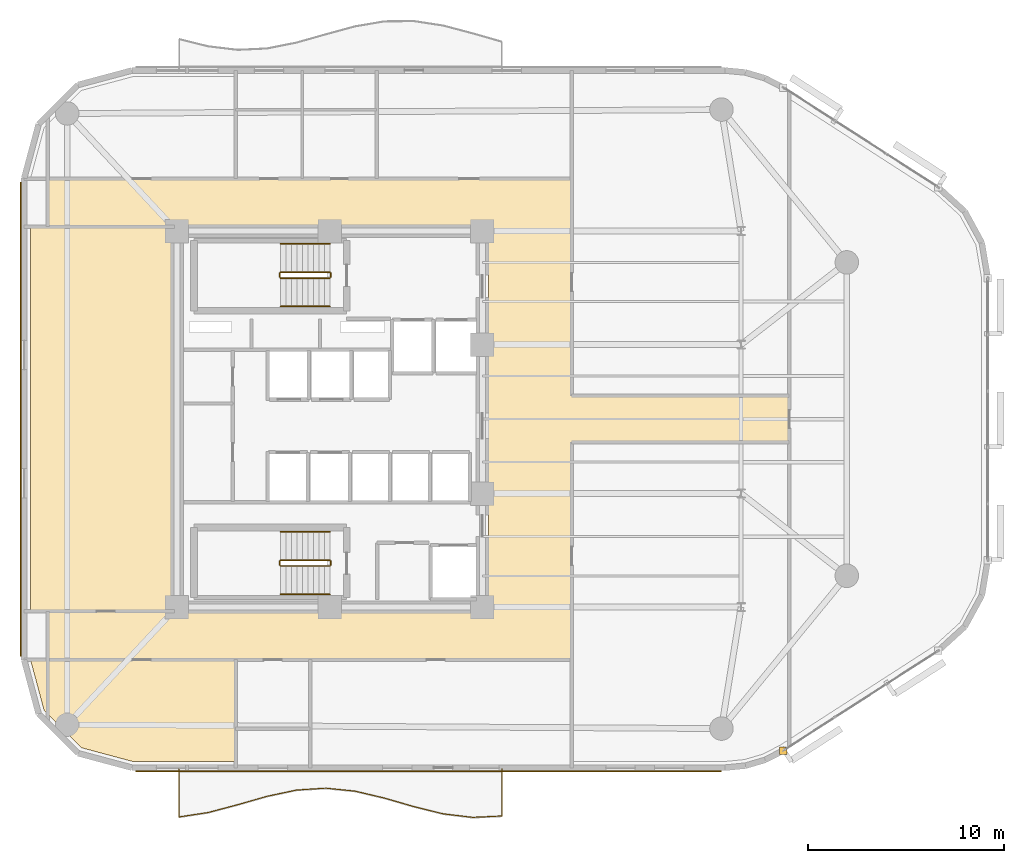
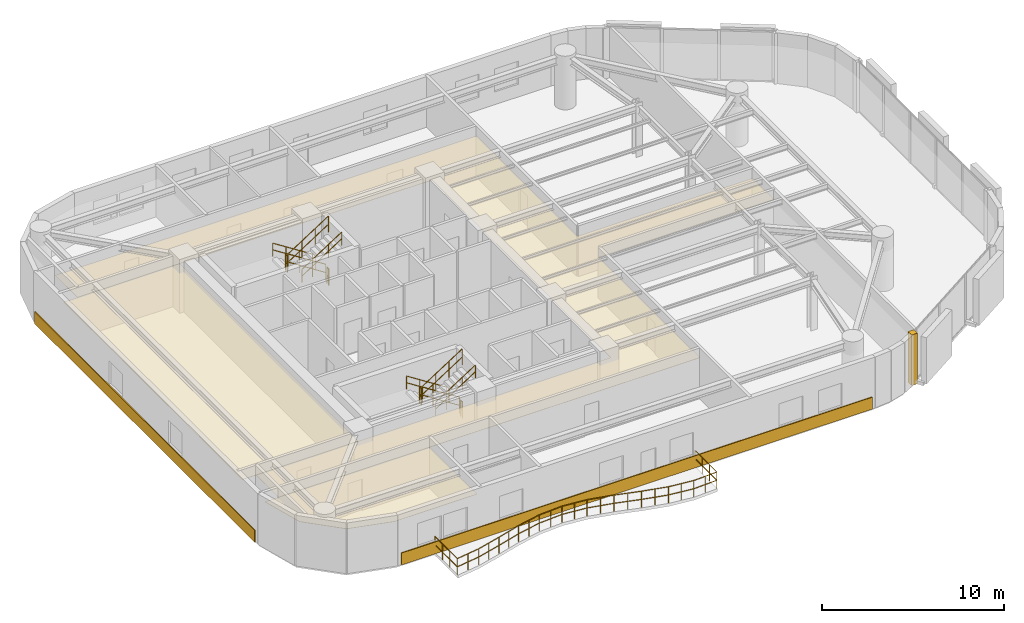
# One storey, part 13 of 14: 13 railings, 6 coverings.
"""IFC4 building model written with IfcOpenShell, lengths in metres."""

from ifc_helpers import new_model, si_unit, direction, frame, origin, origin_2d, place, context, subcontext, project, spatial, polyline, rectangle, circle, outline, extrude, material, layer, layer_set, type_object, element, save


model = new_model("IFC4")

# Units and contexts
model_context = context("Model", 3, precision=1e-05, world=origin(), true_north=direction((0.0, 1.0)))
body_context = subcontext(model_context, "Body", "Model", "MODEL_VIEW")
ifc_project = project(units=[si_unit("LENGTHUNIT", "METRE"), si_unit("AREAUNIT", "SQUARE_METRE"), si_unit("VOLUMEUNIT", "CUBIC_METRE"), si_unit("PLANEANGLEUNIT", "RADIAN"), si_unit("MASSUNIT", "GRAM", prefix="KILO")], contexts=[model_context])

# Site, building, storey
site_placement = place(None, origin())
site = spatial("IfcSite", under=ifc_project, at=site_placement, CompositionType="ELEMENT")
building_placement = place(site_placement, origin())
building = spatial("IfcBuilding", under=site, at=building_placement, Name="An Khanh Terracotta Commons", CompositionType="ELEMENT")
storey_placement = place(building_placement, frame((0.0, 0.0, 158.199951171875)))
storey = spatial("IfcBuildingStorey", under=building, at=storey_placement, Name="L41", CompositionType="ELEMENT", Elevation=158.199951171875)

# Coverings
ifc_material_1 = material(Name="Perforated Mineral-Fibre Acoustic Tile")
ifc_layer_1 = layer(ifc_material_1, 0.02001953125, Name="Perforated Mineral-Fibre Acoustic Tile")
ifc_layer_set_1 = layer_set([ifc_layer_1], Name="Perforated Mineral-Fibre Acoustic Tile")
covering_type_1 = type_object("IfcCoveringType", Name="CEIL-ACOUSTIC-18", PredefinedType="CEILING", material=ifc_layer_set_1)
covering_1_placement = place(storey_placement, frame((0.0, 0.0, 2.650146484375)))
element("IfcCovering", 1, at=covering_1_placement, inside=storey, type_object=covering_type_1, Name="L41 Corridor Ceiling", PredefinedType="CEILING", context=body_context, shape_type="SweptSolid", body=[
    extrude(outline(polyline([(15.0, 11.719970703125), (15.0, 14.179931640625), (37.5, 14.179931640625), (37.5, 33.820068359375), (15.0, 33.820068359375), (15.0, 36.280029296875), (37.5, 36.280029296875), (41.75, 36.280029296875), (41.75, 33.820068359375), (41.75, 25.179931640625), (52.85009765625, 25.179931640625), (52.85009765625, 22.820068359375), (41.75, 22.820068359375), (41.75, 14.179931640625), (41.75, 11.719970703125), (37.5, 11.719970703125), (15.0, 11.719970703125)])), origin(), (0.0, 0.0, 1.0), 0.02001953125),
])
covering_2_placement = place(storey_placement, frame((0.0, 0.0, 2.650146484375)))
element("IfcCovering", 2, at=covering_2_placement, inside=storey, type_object=covering_type_1, Name="L41 Academic Seminar Room Ceiling", PredefinedType="CEILING", context=body_context, shape_type="SweptSolid", body=[
    extrude(outline(polyline([(19.342041015625, 6.52001953125), (16.716064453125, 7.22412109375), (14.823974609375, 9.115966796875), (14.1259765625, 11.719970703125), (15.0, 11.719970703125), (24.60009765625, 11.719970703125), (24.60009765625, 8.199951171875), (24.60009765625, 6.52001953125), (19.342041015625, 6.52001953125)])), origin(), (0.0, 0.0, 1.0), 0.02001953125),
])
covering_3_placement = place(storey_placement, frame((0.0, 0.0, 2.650146484375)))
element("IfcCovering", 3, at=covering_3_placement, inside=storey, type_object=covering_type_1, Name="L41 Riverfront Reading Hall Ceiling", PredefinedType="CEILING", context=body_context, shape_type="SweptSolid", body=[
    extrude(outline(polyline([(14.1201171875, 33.820068359375), (15.0, 33.820068359375), (21.47998046875, 33.820068359375), (21.47998046875, 33.719970703125), (21.47998046875, 14.280029296875), (21.47998046875, 14.179931640625), (15.0, 14.179931640625), (14.1201171875, 14.179931640625), (14.1201171875, 33.820068359375)])), origin(), (0.0, 0.0, 1.0), 0.02001953125),
])
ifc_material_2 = material(Name="Fired Terracotta Rainscreen Cladding", Category="masonry")
ifc_layer_2 = layer(ifc_material_2, 0.080078125, Name="Fired Terracotta Rainscreen Cladding")
ifc_layer_set_2 = layer_set([ifc_layer_2], Name="Fired Terracotta Rainscreen Cladding")
covering_type_2 = type_object("IfcCoveringType", Name="COV-JAMB-TERRA", PredefinedType="CLADDING", material=ifc_layer_set_2)
covering_4_placement = place(storey_placement, frame((52.56005859375, 7.075927734375, 0.0), z_axis=(0.0, 0.0, 1.0), x_axis=(1.0, 0.0, 0.0)))
element("IfcCovering", 4, at=covering_4_placement, inside=storey, type_object=covering_type_2, Name="L41 CW-03 Curtain-Wall Jamb Closure JA", PredefinedType="CLADDING", context=body_context, shape_type="SweptSolid", body=[
    extrude(rectangle(XDim=0.3798828125, YDim=0.3798828125, at=origin_2d()), origin(), (0.0, 0.0, 1.0), 3.39990234375),
])
ifc_layer_3 = layer(ifc_material_2, 0.06005859375, Name="Fired Terracotta Rainscreen Cladding")
ifc_layer_set_3 = layer_set([ifc_layer_3], Name="Fired Terracotta Rainscreen Cladding")
covering_type_3 = type_object("IfcCoveringType", Name="COV-SPANDREL-TERRA", PredefinedType="CLADDING", material=ifc_layer_set_3)
covering_5_placement = place(storey_placement, frame((34.44091796875, 6.02001953125, 0.02001953125), z_axis=(0.0, 0.0, 1.0), x_axis=(1.0, 0.0, 0.0)))
element("IfcCovering", 5, at=covering_5_placement, inside=storey, type_object=covering_type_3, Name="L41 Terracotta Spandrel Cladding 4", PredefinedType="CLADDING", context=body_context, shape_type="SweptSolid", body=[
    extrude(rectangle(XDim=29.882080078125, YDim=0.06005859375, at=origin_2d()), origin(), (0.0, 0.0, 1.0), 0.800048828125),
])
covering_6_placement = place(storey_placement, frame((13.6201171875, 24.0, 0.02001953125), z_axis=(0.0, 0.0, 1.0), x_axis=(0.0, -1.0, 0.0)))
element("IfcCovering", 6, at=covering_6_placement, inside=storey, type_object=covering_type_3, Name="L41 Terracotta Spandrel Cladding 24", PredefinedType="CLADDING", context=body_context, shape_type="SweptSolid", body=[
    extrude(rectangle(XDim=24.199951171875, YDim=0.06005859375, at=origin_2d()), origin(), (0.0, 0.0, 1.0), 0.800048828125),
])

# Railings
ifc_material_3 = material(Name="Brushed Stainless Steel 316", Category="steel")
railing_type_1 = type_object("IfcRailingType", Name="RAIL-BALUSTRADE-1100", PredefinedType="BALUSTRADE", material=ifc_material_3)
railing_1_placement = place(storey_placement, frame((21.699951171875, 6.139892578125, 0.0)))
element("IfcRailing", 7, at=railing_1_placement, inside=storey, type_object=railing_type_1, Name="L41 S Wave Balcony Guard Balustrade", PredefinedType="BALUSTRADE", context=body_context, shape_type="SweptSolid", body=[
    extrude(circle(Radius=0.02392578125, at=origin_2d()), frame((0.0, 0.0, 1.076171875), z_axis=(0.0, -1.0, 0.0), x_axis=(1.0, 0.0, 0.0)), (0.0, 0.0, 1.0), 2.453857421875),
    extrude(circle(Radius=0.02392578125, at=origin_2d()), frame((0.0, 0.0, 0.52587890625), z_axis=(0.0, -1.0, 0.0), x_axis=(1.0, 0.0, 0.0)), (0.0, 0.0, 1.0), 2.453857421875),
    extrude(circle(Radius=0.02392578125, at=origin_2d()), frame((0.0, -2.453857421875, 1.076171875), z_axis=(0.988545890906, 0.15092058035, 0.0), x_axis=(-0.15092058035, 0.988545890906, 0.0)), (0.0, 0.0, 1.0), 1.517333984375),
    extrude(circle(Radius=0.02392578125, at=origin_2d()), frame((0.0, -2.453857421875, 0.52587890625), z_axis=(0.988545890906, 0.15092058035, 0.0), x_axis=(-0.15092058035, 0.988545890906, 0.0)), (0.0, 0.0, 1.0), 1.517333984375),
    extrude(circle(Radius=0.02392578125, at=origin_2d()), frame((1.5, -2.224853515625, 1.076171875), z_axis=(0.966718963822, 0.255840663277, 0.0), x_axis=(-0.255840663277, 0.966718963822, 0.0)), (0.0, 0.0, 1.0), 1.5517578125),
    extrude(circle(Radius=0.02392578125, at=origin_2d()), frame((1.5, -2.224853515625, 0.52587890625), z_axis=(0.966718963822, 0.255840663277, 0.0), x_axis=(-0.255840663277, 0.966718963822, 0.0)), (0.0, 0.0, 1.0), 1.5517578125),
    extrude(circle(Radius=0.02392578125, at=origin_2d()), frame((3.0, -1.827880859375, 1.076171875), z_axis=(0.961293347262, 0.275526950607, 0.0), x_axis=(-0.275526950607, 0.961293347262, 0.0)), (0.0, 0.0, 1.0), 1.560302734375),
    extrude(circle(Radius=0.02392578125, at=origin_2d()), frame((3.0, -1.827880859375, 0.52587890625), z_axis=(0.961293347262, 0.275526950607, 0.0), x_axis=(-0.275526950607, 0.961293347262, 0.0)), (0.0, 0.0, 1.0), 1.560302734375),
    extrude(circle(Radius=0.02392578125, at=origin_2d()), frame((4.5, -1.39794921875, 1.076171875), z_axis=(0.978242938641, 0.207462654468, 0.0), x_axis=(-0.207462654468, 0.978242938641, 0.0)), (0.0, 0.0, 1.0), 1.533447265625),
    extrude(circle(Radius=0.02392578125, at=origin_2d()), frame((4.5, -1.39794921875, 0.52587890625), z_axis=(0.978242938641, 0.207462654468, 0.0), x_axis=(-0.207462654468, 0.978242938641, 0.0)), (0.0, 0.0, 1.0), 1.533447265625),
    extrude(circle(Radius=0.02392578125, at=origin_2d()), frame((6.0, -1.079833984375, 1.076171875), z_axis=(0.99787689467, 0.065128358523, 0.0), x_axis=(-0.065128358523, 0.99787689467, 0.0)), (0.0, 0.0, 1.0), 1.503173828125),
    extrude(circle(Radius=0.02392578125, at=origin_2d()), frame((6.0, -1.079833984375, 0.52587890625), z_axis=(0.99787689467, 0.065128358523, 0.0), x_axis=(-0.065128358523, 0.99787689467, 0.0)), (0.0, 0.0, 1.0), 1.503173828125),
    extrude(circle(Radius=0.02392578125, at=origin_2d()), frame((7.5, -0.98193359375, 1.076171875), z_axis=(0.994833141332, -0.101523499286, 0.0), x_axis=(0.101523499286, 0.994833141332, 0.0)), (0.0, 0.0, 1.0), 1.5078125),
    extrude(circle(Radius=0.02392578125, at=origin_2d()), frame((7.5, -0.98193359375, 0.52587890625), z_axis=(0.994833141332, -0.101523499286, 0.0), x_axis=(0.101523499286, 0.994833141332, 0.0)), (0.0, 0.0, 1.0), 1.5078125),
    extrude(circle(Radius=0.02392578125, at=origin_2d()), frame((9.0, -1.135009765625, 1.076171875), z_axis=(0.973263214687, -0.229692653206, 0.0), x_axis=(0.229692653206, 0.973263214687, 0.0)), (0.0, 0.0, 1.0), 1.541259765625),
    extrude(circle(Radius=0.02392578125, at=origin_2d()), frame((9.0, -1.135009765625, 0.52587890625), z_axis=(0.973263214687, -0.229692653206, 0.0), x_axis=(0.229692653206, 0.973263214687, 0.0)), (0.0, 0.0, 1.0), 1.541259765625),
    extrude(circle(Radius=0.02392578125, at=origin_2d()), frame((10.5, -1.489013671875, 1.076171875), z_axis=(0.960460913759, -0.278414857976, 0.0), x_axis=(0.278414857976, 0.960460913759, 0.0)), (0.0, 0.0, 1.0), 1.561767578125),
    extrude(circle(Radius=0.02392578125, at=origin_2d()), frame((10.5, -1.489013671875, 0.52587890625), z_axis=(0.960460913759, -0.278414857976, 0.0), x_axis=(0.278414857976, 0.960460913759, 0.0)), (0.0, 0.0, 1.0), 1.561767578125),
    extrude(circle(Radius=0.02392578125, at=origin_2d()), frame((12.0, -1.923828125, 1.076171875), z_axis=(0.970881568768, -0.239559970419, 0.0), x_axis=(0.239559970419, 0.970881568768, 0.0)), (0.0, 0.0, 1.0), 1.544921875),
    extrude(circle(Radius=0.02392578125, at=origin_2d()), frame((12.0, -1.923828125, 0.52587890625), z_axis=(0.970881568768, -0.239559970419, 0.0), x_axis=(0.239559970419, 0.970881568768, 0.0)), (0.0, 0.0, 1.0), 1.544921875),
    extrude(circle(Radius=0.02392578125, at=origin_2d()), frame((13.5, -2.2939453125, 1.076171875), z_axis=(0.99288219023, -0.11910061429, 0.0), x_axis=(0.11910061429, 0.99288219023, 0.0)), (0.0, 0.0, 1.0), 1.5107421875),
    extrude(circle(Radius=0.02392578125, at=origin_2d()), frame((13.5, -2.2939453125, 0.52587890625), z_axis=(0.99288219023, -0.11910061429, 0.0), x_axis=(0.11910061429, 0.99288219023, 0.0)), (0.0, 0.0, 1.0), 1.5107421875),
    extrude(circle(Radius=0.02392578125, at=origin_2d()), frame((15.0, -2.473876953125, 1.076171875), z_axis=(0.998880243389, 0.047310245903, 0.0), x_axis=(-0.047310245903, 0.998880243389, 0.0)), (0.0, 0.0, 1.0), 1.501708984375),
    extrude(circle(Radius=0.02392578125, at=origin_2d()), frame((15.0, -2.473876953125, 0.52587890625), z_axis=(0.998880243389, 0.047310245903, 0.0), x_axis=(-0.047310245903, 0.998880243389, 0.0)), (0.0, 0.0, 1.0), 1.501708984375),
    extrude(circle(Radius=0.02392578125, at=origin_2d()), frame((16.5, -2.40283203125, 1.076171875), z_axis=(0.0, 1.0, 0.0), x_axis=(-1.0, 0.0, 0.0)), (0.0, 0.0, 1.0), 2.40283203125),
    extrude(circle(Radius=0.02392578125, at=origin_2d()), frame((16.5, -2.40283203125, 0.52587890625), z_axis=(0.0, 1.0, 0.0), x_axis=(-1.0, 0.0, 0.0)), (0.0, 0.0, 1.0), 2.40283203125),
    extrude(circle(Radius=0.02099609375, at=origin_2d()), origin(), (0.0, 0.0, 1.0), 1.052001953125),
    extrude(circle(Radius=0.02099609375, at=origin_2d()), frame((0.0, -0.81787109375, 0.0)), (0.0, 0.0, 1.0), 1.052001953125),
    extrude(circle(Radius=0.02099609375, at=origin_2d()), frame((0.0, -1.635986328125, 0.0)), (0.0, 0.0, 1.0), 1.052001953125),
    extrude(circle(Radius=0.02099609375, at=origin_2d()), frame((0.0, -2.453857421875, 0.0)), (0.0, 0.0, 1.0), 1.052001953125),
    extrude(circle(Radius=0.02099609375, at=origin_2d()), frame((0.75, -2.33935546875, 0.0)), (0.0, 0.0, 1.0), 1.052001953125),
    extrude(circle(Radius=0.02099609375, at=origin_2d()), frame((1.5, -2.224853515625, 0.0)), (0.0, 0.0, 1.0), 1.052001953125),
    extrude(circle(Radius=0.02099609375, at=origin_2d()), frame((2.25, -2.0263671875, 0.0)), (0.0, 0.0, 1.0), 1.052001953125),
    extrude(circle(Radius=0.02099609375, at=origin_2d()), frame((3.0, -1.827880859375, 0.0)), (0.0, 0.0, 1.0), 1.052001953125),
    extrude(circle(Radius=0.02099609375, at=origin_2d()), frame((3.75, -1.61279296875, 0.0)), (0.0, 0.0, 1.0), 1.052001953125),
    extrude(circle(Radius=0.02099609375, at=origin_2d()), frame((4.5, -1.39794921875, 0.0)), (0.0, 0.0, 1.0), 1.052001953125),
    extrude(circle(Radius=0.02099609375, at=origin_2d()), frame((5.25, -1.23876953125, 0.0)), (0.0, 0.0, 1.0), 1.052001953125),
    extrude(circle(Radius=0.02099609375, at=origin_2d()), frame((6.0, -1.079833984375, 0.0)), (0.0, 0.0, 1.0), 1.052001953125),
    extrude(circle(Radius=0.02099609375, at=origin_2d()), frame((6.75, -1.03076171875, 0.0)), (0.0, 0.0, 1.0), 1.052001953125),
    extrude(circle(Radius=0.02099609375, at=origin_2d()), frame((7.5, -0.98193359375, 0.0)), (0.0, 0.0, 1.0), 1.052001953125),
    extrude(circle(Radius=0.02099609375, at=origin_2d()), frame((8.25, -1.05859375, 0.0)), (0.0, 0.0, 1.0), 1.052001953125),
    extrude(circle(Radius=0.02099609375, at=origin_2d()), frame((9.0, -1.135009765625, 0.0)), (0.0, 0.0, 1.0), 1.052001953125),
    extrude(circle(Radius=0.02099609375, at=origin_2d()), frame((9.75, -1.31201171875, 0.0)), (0.0, 0.0, 1.0), 1.052001953125),
    extrude(circle(Radius=0.02099609375, at=origin_2d()), frame((10.5, -1.489013671875, 0.0)), (0.0, 0.0, 1.0), 1.052001953125),
    extrude(circle(Radius=0.02099609375, at=origin_2d()), frame((11.25, -1.70654296875, 0.0)), (0.0, 0.0, 1.0), 1.052001953125),
    extrude(circle(Radius=0.02099609375, at=origin_2d()), frame((12.0, -1.923828125, 0.0)), (0.0, 0.0, 1.0), 1.052001953125),
    extrude(circle(Radius=0.02099609375, at=origin_2d()), frame((12.75, -2.10888671875, 0.0)), (0.0, 0.0, 1.0), 1.052001953125),
    extrude(circle(Radius=0.02099609375, at=origin_2d()), frame((13.5, -2.2939453125, 0.0)), (0.0, 0.0, 1.0), 1.052001953125),
    extrude(circle(Radius=0.02099609375, at=origin_2d()), frame((14.25, -2.3837890625, 0.0)), (0.0, 0.0, 1.0), 1.052001953125),
    extrude(circle(Radius=0.02099609375, at=origin_2d()), frame((15.0, -2.473876953125, 0.0)), (0.0, 0.0, 1.0), 1.052001953125),
    extrude(circle(Radius=0.02099609375, at=origin_2d()), frame((15.75, -2.4384765625, 0.0)), (0.0, 0.0, 1.0), 1.052001953125),
    extrude(circle(Radius=0.02099609375, at=origin_2d()), frame((16.5, -2.40283203125, 0.0)), (0.0, 0.0, 1.0), 1.052001953125),
    extrude(circle(Radius=0.02099609375, at=origin_2d()), frame((16.5, -1.601806640625, 0.0)), (0.0, 0.0, 1.0), 1.052001953125),
    extrude(circle(Radius=0.02099609375, at=origin_2d()), frame((16.5, -0.801025390625, 0.0)), (0.0, 0.0, 1.0), 1.052001953125),
    extrude(circle(Radius=0.02099609375, at=origin_2d()), frame((16.5, 0.0, 0.0)), (0.0, 0.0, 1.0), 1.052001953125),
])
railing_type_2 = type_object("IfcRailingType", Name="RAIL-HANDRAIL-900", PredefinedType="HANDRAIL", material=ifc_material_3)
railing_2_placement = place(storey_placement, frame((29.409912109375, 32.949951171875, 0.179931640625)))
element("IfcRailing", 8, at=railing_2_placement, inside=storey, type_object=railing_type_2, Name="L41 ST-01 stair handrail 1", PredefinedType="HANDRAIL", context=body_context, shape_type="SweptSolid", body=[
    extrude(circle(Radius=0.02392578125, at=origin_2d()), frame((0.0, 0.0, 0.8759765625), z_axis=(-0.841162588446, 0.0, 0.540782303519), x_axis=(0.0, -1.0, 0.0)), (0.0, 0.0, 1.0), 2.995849609375),
    extrude(circle(Radius=0.02392578125, at=origin_2d()), frame((0.0, 0.0, 0.42578125), z_axis=(-0.841162588446, 0.0, 0.540782303519), x_axis=(0.0, -1.0, 0.0)), (0.0, 0.0, 1.0), 2.995849609375),
    extrude(circle(Radius=0.02099609375, at=origin_2d()), origin(), (0.0, 0.0, 1.0), 0.851806640625),
    extrude(circle(Radius=0.02099609375, at=origin_2d()), frame((-0.840087890625, 0.0, 0.5400390625)), (0.0, 0.0, 1.0), 0.851806640625),
    extrude(circle(Radius=0.02099609375, at=origin_2d()), frame((-1.679931640625, 0.0, 1.080078125)), (0.0, 0.0, 1.0), 0.851806640625),
    extrude(circle(Radius=0.02099609375, at=origin_2d()), frame((-2.52001953125, 0.0, 1.6201171875)), (0.0, 0.0, 1.0), 0.851806640625),
])
railing_3_placement = place(storey_placement, frame((26.889892578125, 29.75, 1.97998046875)))
element("IfcRailing", 9, at=railing_3_placement, inside=storey, type_object=railing_type_2, Name="L41 ST-01 stair handrail 2", PredefinedType="HANDRAIL", context=body_context, shape_type="SweptSolid", body=[
    extrude(circle(Radius=0.02392578125, at=origin_2d()), frame((0.0, 0.0, 0.8759765625), z_axis=(0.841162588446, 0.0, 0.540782303519), x_axis=(0.0, 1.0, 0.0)), (0.0, 0.0, 1.0), 2.995849609375),
    extrude(circle(Radius=0.02392578125, at=origin_2d()), frame((0.0, 0.0, 0.42578125), z_axis=(0.841162588446, 0.0, 0.540782303519), x_axis=(0.0, 1.0, 0.0)), (0.0, 0.0, 1.0), 2.995849609375),
    extrude(circle(Radius=0.02099609375, at=origin_2d()), origin(), (0.0, 0.0, 1.0), 0.851806640625),
    extrude(circle(Radius=0.02099609375, at=origin_2d()), frame((0.840087890625, 0.0, 0.5400390625)), (0.0, 0.0, 1.0), 0.851806640625),
    extrude(circle(Radius=0.02099609375, at=origin_2d()), frame((1.679931640625, 0.0, 1.080078125)), (0.0, 0.0, 1.0), 0.851806640625),
    extrude(circle(Radius=0.02099609375, at=origin_2d()), frame((2.52001953125, 0.0, 1.6201171875)), (0.0, 0.0, 1.0), 0.851806640625),
])
railing_4_placement = place(storey_placement, frame((29.409912109375, 18.25, 0.179931640625)))
element("IfcRailing", 10, at=railing_4_placement, inside=storey, type_object=railing_type_2, Name="L41 ST-02 stair handrail 1", PredefinedType="HANDRAIL", context=body_context, shape_type="SweptSolid", body=[
    extrude(circle(Radius=0.02392578125, at=origin_2d()), frame((0.0, 0.0, 0.8759765625), z_axis=(-0.841162588446, 0.0, 0.540782303519), x_axis=(0.0, -1.0, 0.0)), (0.0, 0.0, 1.0), 2.995849609375),
    extrude(circle(Radius=0.02392578125, at=origin_2d()), frame((0.0, 0.0, 0.42578125), z_axis=(-0.841162588446, 0.0, 0.540782303519), x_axis=(0.0, -1.0, 0.0)), (0.0, 0.0, 1.0), 2.995849609375),
    extrude(circle(Radius=0.02099609375, at=origin_2d()), origin(), (0.0, 0.0, 1.0), 0.851806640625),
    extrude(circle(Radius=0.02099609375, at=origin_2d()), frame((-0.840087890625, 0.0, 0.5400390625)), (0.0, 0.0, 1.0), 0.851806640625),
    extrude(circle(Radius=0.02099609375, at=origin_2d()), frame((-1.679931640625, 0.0, 1.080078125)), (0.0, 0.0, 1.0), 0.851806640625),
    extrude(circle(Radius=0.02099609375, at=origin_2d()), frame((-2.52001953125, 0.0, 1.6201171875)), (0.0, 0.0, 1.0), 0.851806640625),
])
railing_5_placement = place(storey_placement, frame((26.889892578125, 15.050048828125, 1.97998046875)))
element("IfcRailing", 11, at=railing_5_placement, inside=storey, type_object=railing_type_2, Name="L41 ST-02 stair handrail 2", PredefinedType="HANDRAIL", context=body_context, shape_type="SweptSolid", body=[
    extrude(circle(Radius=0.02392578125, at=origin_2d()), frame((0.0, 0.0, 0.8759765625), z_axis=(0.841162588446, 0.0, 0.540782303519), x_axis=(0.0, 1.0, 0.0)), (0.0, 0.0, 1.0), 2.995849609375),
    extrude(circle(Radius=0.02392578125, at=origin_2d()), frame((0.0, 0.0, 0.42578125), z_axis=(0.841162588446, 0.0, 0.540782303519), x_axis=(0.0, 1.0, 0.0)), (0.0, 0.0, 1.0), 2.995849609375),
    extrude(circle(Radius=0.02099609375, at=origin_2d()), origin(), (0.0, 0.0, 1.0), 0.851806640625),
    extrude(circle(Radius=0.02099609375, at=origin_2d()), frame((0.840087890625, 0.0, 0.5400390625)), (0.0, 0.0, 1.0), 0.851806640625),
    extrude(circle(Radius=0.02099609375, at=origin_2d()), frame((1.679931640625, 0.0, 1.080078125)), (0.0, 0.0, 1.0), 0.851806640625),
    extrude(circle(Radius=0.02099609375, at=origin_2d()), frame((2.52001953125, 0.0, 1.6201171875)), (0.0, 0.0, 1.0), 0.851806640625),
])
ifc_material_4 = material(Name="Powder-Coated Steel S355J2", Category="steel")
railing_type_3 = type_object("IfcRailingType", Name="RAIL-STAIR-GUARD-1100", PredefinedType="BALUSTRADE", material=ifc_material_4)
railing_6_placement = place(storey_placement, frame((29.409912109375, 31.5, 0.179931640625)))
element("IfcRailing", 12, at=railing_6_placement, inside=storey, type_object=railing_type_3, Name="L41 ST-01 stair guard 1", PredefinedType="BALUSTRADE", context=body_context, shape_type="SweptSolid", body=[
    extrude(circle(Radius=0.02392578125, at=origin_2d()), frame((0.0, 0.0, 1.076171875), z_axis=(-0.841162588446, 0.0, 0.540782303519), x_axis=(0.0, -1.0, 0.0)), (0.0, 0.0, 1.0), 2.995849609375),
    extrude(circle(Radius=0.02392578125, at=origin_2d()), frame((0.0, 0.0, 0.52587890625), z_axis=(-0.841162588446, 0.0, 0.540782303519), x_axis=(0.0, -1.0, 0.0)), (0.0, 0.0, 1.0), 2.995849609375),
    extrude(circle(Radius=0.02099609375, at=origin_2d()), origin(), (0.0, 0.0, 1.0), 1.052001953125),
    extrude(circle(Radius=0.02099609375, at=origin_2d()), frame((-0.840087890625, 0.0, 0.5400390625)), (0.0, 0.0, 1.0), 1.052001953125),
    extrude(circle(Radius=0.02099609375, at=origin_2d()), frame((-1.679931640625, 0.0, 1.080078125)), (0.0, 0.0, 1.0), 1.052001953125),
    extrude(circle(Radius=0.02099609375, at=origin_2d()), frame((-2.52001953125, 0.0, 1.6201171875)), (0.0, 0.0, 1.0), 1.052001953125),
])
railing_7_placement = place(storey_placement, frame((26.840087890625, 31.449951171875, 1.800048828125)))
element("IfcRailing", 13, at=railing_7_placement, inside=storey, type_object=railing_type_3, Name="L41 ST-01 stair guard 2", PredefinedType="BALUSTRADE", context=body_context, shape_type="SweptSolid", body=[
    extrude(circle(Radius=0.02392578125, at=origin_2d()), frame((0.0, 0.0, 1.076171875), z_axis=(0.0, -1.0, 0.0), x_axis=(1.0, 0.0, 0.0)), (0.0, 0.0, 1.0), 0.199951171875),
    extrude(circle(Radius=0.02392578125, at=origin_2d()), frame((0.0, 0.0, 0.52587890625), z_axis=(0.0, -1.0, 0.0), x_axis=(1.0, 0.0, 0.0)), (0.0, 0.0, 1.0), 0.199951171875),
    extrude(circle(Radius=0.02099609375, at=origin_2d()), origin(), (0.0, 0.0, 1.0), 1.052001953125),
    extrude(circle(Radius=0.02099609375, at=origin_2d()), frame((0.0, -0.199951171875, 0.0)), (0.0, 0.0, 1.0), 1.052001953125),
])
railing_8_placement = place(storey_placement, frame((26.889892578125, 31.199951171875, 1.97998046875)))
element("IfcRailing", 14, at=railing_8_placement, inside=storey, type_object=railing_type_3, Name="L41 ST-01 stair guard 3", PredefinedType="BALUSTRADE", context=body_context, shape_type="SweptSolid", body=[
    extrude(circle(Radius=0.02392578125, at=origin_2d()), frame((0.0, 0.0, 1.076171875), z_axis=(0.841162588446, 0.0, 0.540782303519), x_axis=(0.0, 1.0, 0.0)), (0.0, 0.0, 1.0), 2.995849609375),
    extrude(circle(Radius=0.02392578125, at=origin_2d()), frame((0.0, 0.0, 0.52587890625), z_axis=(0.841162588446, 0.0, 0.540782303519), x_axis=(0.0, 1.0, 0.0)), (0.0, 0.0, 1.0), 2.995849609375),
    extrude(circle(Radius=0.02099609375, at=origin_2d()), origin(), (0.0, 0.0, 1.0), 1.052001953125),
    extrude(circle(Radius=0.02099609375, at=origin_2d()), frame((0.840087890625, 0.0, 0.5400390625)), (0.0, 0.0, 1.0), 1.052001953125),
    extrude(circle(Radius=0.02099609375, at=origin_2d()), frame((1.679931640625, 0.0, 1.080078125)), (0.0, 0.0, 1.0), 1.052001953125),
    extrude(circle(Radius=0.02099609375, at=origin_2d()), frame((2.52001953125, 0.0, 1.6201171875)), (0.0, 0.0, 1.0), 1.052001953125),
])
railing_9_placement = place(storey_placement, frame((29.4599609375, 31.449951171875, 0.0)))
element("IfcRailing", 15, at=railing_9_placement, inside=storey, type_object=railing_type_3, Name="L41 ST-01 stair guard 4", PredefinedType="BALUSTRADE", context=body_context, shape_type="SweptSolid", body=[
    extrude(circle(Radius=0.02392578125, at=origin_2d()), frame((0.0, 0.0, 1.076171875), z_axis=(0.0, -1.0, 0.0), x_axis=(1.0, 0.0, 0.0)), (0.0, 0.0, 1.0), 0.199951171875),
    extrude(circle(Radius=0.02392578125, at=origin_2d()), frame((0.0, 0.0, 0.52587890625), z_axis=(0.0, -1.0, 0.0), x_axis=(1.0, 0.0, 0.0)), (0.0, 0.0, 1.0), 0.199951171875),
    extrude(circle(Radius=0.02099609375, at=origin_2d()), origin(), (0.0, 0.0, 1.0), 1.052001953125),
    extrude(circle(Radius=0.02099609375, at=origin_2d()), frame((0.0, -0.199951171875, 0.0)), (0.0, 0.0, 1.0), 1.052001953125),
])
railing_10_placement = place(storey_placement, frame((29.409912109375, 16.800048828125, 0.179931640625)))
element("IfcRailing", 16, at=railing_10_placement, inside=storey, type_object=railing_type_3, Name="L41 ST-02 stair guard 1", PredefinedType="BALUSTRADE", context=body_context, shape_type="SweptSolid", body=[
    extrude(circle(Radius=0.02392578125, at=origin_2d()), frame((0.0, 0.0, 1.076171875), z_axis=(-0.841162588446, 0.0, 0.540782303519), x_axis=(0.0, -1.0, 0.0)), (0.0, 0.0, 1.0), 2.995849609375),
    extrude(circle(Radius=0.02392578125, at=origin_2d()), frame((0.0, 0.0, 0.52587890625), z_axis=(-0.841162588446, 0.0, 0.540782303519), x_axis=(0.0, -1.0, 0.0)), (0.0, 0.0, 1.0), 2.995849609375),
    extrude(circle(Radius=0.02099609375, at=origin_2d()), origin(), (0.0, 0.0, 1.0), 1.052001953125),
    extrude(circle(Radius=0.02099609375, at=origin_2d()), frame((-0.840087890625, 0.0, 0.5400390625)), (0.0, 0.0, 1.0), 1.052001953125),
    extrude(circle(Radius=0.02099609375, at=origin_2d()), frame((-1.679931640625, 0.0, 1.080078125)), (0.0, 0.0, 1.0), 1.052001953125),
    extrude(circle(Radius=0.02099609375, at=origin_2d()), frame((-2.52001953125, 0.0, 1.6201171875)), (0.0, 0.0, 1.0), 1.052001953125),
])
railing_11_placement = place(storey_placement, frame((26.840087890625, 16.75, 1.800048828125)))
element("IfcRailing", 17, at=railing_11_placement, inside=storey, type_object=railing_type_3, Name="L41 ST-02 stair guard 2", PredefinedType="BALUSTRADE", context=body_context, shape_type="SweptSolid", body=[
    extrude(circle(Radius=0.02392578125, at=origin_2d()), frame((0.0, 0.0, 1.076171875), z_axis=(0.0, -1.0, 0.0), x_axis=(1.0, 0.0, 0.0)), (0.0, 0.0, 1.0), 0.199951171875),
    extrude(circle(Radius=0.02392578125, at=origin_2d()), frame((0.0, 0.0, 0.52587890625), z_axis=(0.0, -1.0, 0.0), x_axis=(1.0, 0.0, 0.0)), (0.0, 0.0, 1.0), 0.199951171875),
    extrude(circle(Radius=0.02099609375, at=origin_2d()), origin(), (0.0, 0.0, 1.0), 1.052001953125),
    extrude(circle(Radius=0.02099609375, at=origin_2d()), frame((0.0, -0.199951171875, 0.0)), (0.0, 0.0, 1.0), 1.052001953125),
])
railing_12_placement = place(storey_placement, frame((26.889892578125, 16.5, 1.97998046875)))
element("IfcRailing", 18, at=railing_12_placement, inside=storey, type_object=railing_type_3, Name="L41 ST-02 stair guard 3", PredefinedType="BALUSTRADE", context=body_context, shape_type="SweptSolid", body=[
    extrude(circle(Radius=0.02392578125, at=origin_2d()), frame((0.0, 0.0, 1.076171875), z_axis=(0.841162588446, 0.0, 0.540782303519), x_axis=(0.0, 1.0, 0.0)), (0.0, 0.0, 1.0), 2.995849609375),
    extrude(circle(Radius=0.02392578125, at=origin_2d()), frame((0.0, 0.0, 0.52587890625), z_axis=(0.841162588446, 0.0, 0.540782303519), x_axis=(0.0, 1.0, 0.0)), (0.0, 0.0, 1.0), 2.995849609375),
    extrude(circle(Radius=0.02099609375, at=origin_2d()), origin(), (0.0, 0.0, 1.0), 1.052001953125),
    extrude(circle(Radius=0.02099609375, at=origin_2d()), frame((0.840087890625, 0.0, 0.5400390625)), (0.0, 0.0, 1.0), 1.052001953125),
    extrude(circle(Radius=0.02099609375, at=origin_2d()), frame((1.679931640625, 0.0, 1.080078125)), (0.0, 0.0, 1.0), 1.052001953125),
    extrude(circle(Radius=0.02099609375, at=origin_2d()), frame((2.52001953125, 0.0, 1.6201171875)), (0.0, 0.0, 1.0), 1.052001953125),
])
railing_13_placement = place(storey_placement, frame((29.4599609375, 16.75, 0.0)))
element("IfcRailing", 19, at=railing_13_placement, inside=storey, type_object=railing_type_3, Name="L41 ST-02 stair guard 4", PredefinedType="BALUSTRADE", context=body_context, shape_type="SweptSolid", body=[
    extrude(circle(Radius=0.02392578125, at=origin_2d()), frame((0.0, 0.0, 1.076171875), z_axis=(0.0, -1.0, 0.0), x_axis=(1.0, 0.0, 0.0)), (0.0, 0.0, 1.0), 0.199951171875),
    extrude(circle(Radius=0.02392578125, at=origin_2d()), frame((0.0, 0.0, 0.52587890625), z_axis=(0.0, -1.0, 0.0), x_axis=(1.0, 0.0, 0.0)), (0.0, 0.0, 1.0), 0.199951171875),
    extrude(circle(Radius=0.02099609375, at=origin_2d()), origin(), (0.0, 0.0, 1.0), 1.052001953125),
    extrude(circle(Radius=0.02099609375, at=origin_2d()), frame((0.0, -0.199951171875, 0.0)), (0.0, 0.0, 1.0), 1.052001953125),
])

save(model, "model.ifc")
